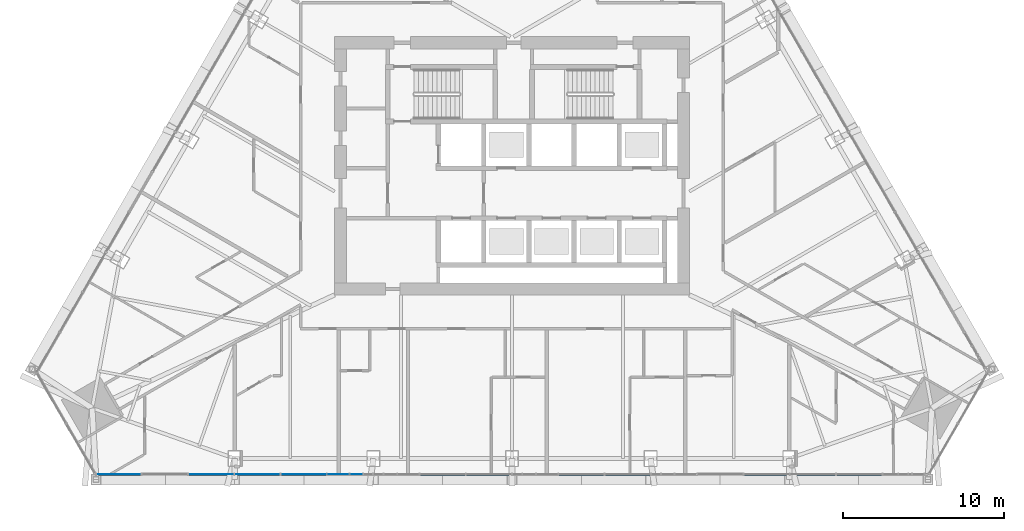
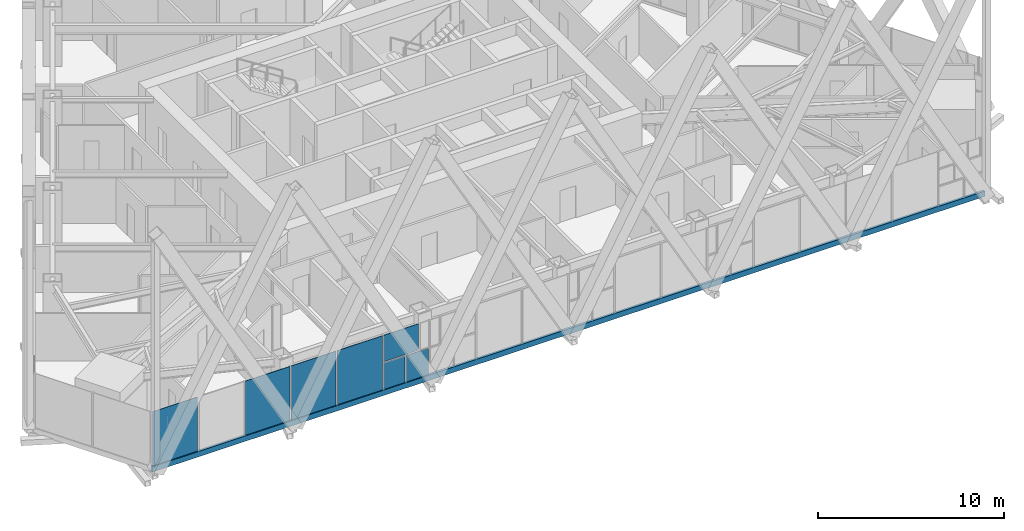
# One storey, part 5 of 23: 7 plates, 1 member, 2 openings, 1 element without a shape of its own.
"""IFC4 building model written with IfcOpenShell, lengths in metres."""

from ifc_helpers import new_model, si_unit, direction, frame, frame_2d, origin, origin_2d, place, context, subcontext, project, spatial, polyline, rectangle, outline, extrude, material, layer, layer_set, material_profile, profile_set, type_object, element, aggregate, save


model = new_model("IFC4")

# Units and contexts
model_context = context("Model", 3, precision=1e-05, world=origin(), true_north=direction((0.0, 1.0)))
body_context = subcontext(model_context, "Body", "Model", "MODEL_VIEW")
ifc_project = project(units=[si_unit("LENGTHUNIT", "METRE"), si_unit("AREAUNIT", "SQUARE_METRE"), si_unit("VOLUMEUNIT", "CUBIC_METRE"), si_unit("PLANEANGLEUNIT", "RADIAN"), si_unit("MASSUNIT", "GRAM", prefix="KILO")], contexts=[model_context])

# Site, building, storey
site_placement = place(None, origin())
site = spatial("IfcSite", under=ifc_project, at=site_placement, CompositionType="ELEMENT")
building_placement = place(site_placement, origin())
building = spatial("IfcBuilding", under=site, at=building_placement, Name="Firuza Gate Tower and Library", CompositionType="ELEMENT")
storey_placement = place(building_placement, frame((0.0, 0.0, 202.60009765625)))
storey = spatial("IfcBuildingStorey", under=building, at=storey_placement, Name="L47", CompositionType="ELEMENT", Elevation=202.60009765625)

# Curtain wall, openings, member, plates
ifc_material_1 = material(Name="Aluminium 6063-T6", Category="aluminium")
ifc_layer_1 = layer(ifc_material_1, 0.14990234375)
ifc_layer_set_1 = layer_set([ifc_layer_1], Name="Unitised curtain wall, hotel")
curtain_wall_type = type_object("IfcCurtainWallType", Name="Unitised curtain wall, hotel", PredefinedType="NOTDEFINED", material=ifc_layer_set_1)
curtain_wall_placement = place(storey_placement, origin())
curtain_wall = element("IfcCurtainWall", 1, at=curtain_wall_placement, inside=storey, type_object=curtain_wall_type, Name="CW2 L47 S face", PredefinedType="NOTDEFINED")
opening_1_placement = place(curtain_wall_placement, frame((52.0849609375, 55.88330078125, 0.14990234375), z_axis=(0.0, 0.0, 1.0), x_axis=(1.0, 0.0, 0.0)))
element("IfcOpeningElement", 2, at=opening_1_placement, cuts=curtain_wall, Name="Opening WD1-003", PredefinedType="OPENING", context=body_context, shape_type="SweptSolid", body=[
    extrude(rectangle(XDim=2.789306640625, YDim=3.550048828125, at=frame_2d((1.39453125, 1.77490234375))), frame((0.0, 0.0849609375, 0.0), z_axis=(0.0, -1.0, 0.0), x_axis=(1.0, 0.0, 0.0)), (0.0, 0.0, 1.0), 0.169921875),
])
opening_2_placement = place(curtain_wall_placement, frame((86.517578125, 55.88330078125, 0.14990234375), z_axis=(0.0, 0.0, 1.0), x_axis=(1.0, 0.0, 0.0)))
element("IfcOpeningElement", 3, at=opening_2_placement, cuts=curtain_wall, Name="Opening WD1-004", PredefinedType="OPENING", context=body_context, shape_type="SweptSolid", body=[
    extrude(rectangle(XDim=2.789306640625, YDim=3.550048828125, at=frame_2d((1.39453125, 1.77490234375))), frame((0.0, 0.0849609375, 0.0), z_axis=(0.0, -1.0, 0.0), x_axis=(1.0, 0.0, 0.0)), (0.0, 0.0, 1.0), 0.169921875),
])
ifc_material_2 = material(Name="Aluminium 6063-T6", Category="aluminium")
ifc_material_profile = material_profile(ifc_material_2, rectangle(XDim=0.14990234375, YDim=0.35009765625, at=origin_2d()))
ifc_profile_set = profile_set([ifc_material_profile], Name="Aluminium 6063-T6")
member_type = type_object("IfcMemberType", Name="Curtain wall transom 350x150", PredefinedType="USERDEFINED", material=ifc_profile_set)
member_placement = place(storey_placement, frame((49.175537109375, 55.88330078125, -0.025146484375), z_axis=(1.0, 0.0, 0.0), x_axis=(0.0, 1.0, 0.0)))
member = element("IfcMember", 4, at=member_placement, type_object=member_type, Name="Transom", ObjectType="TRANSOM", PredefinedType="USERDEFINED", context=body_context, shape_type="SweptSolid", body=[
    extrude(rectangle(XDim=0.14990234375, YDim=0.35009765625, at=origin_2d()), origin(), (0.0, 0.0, 1.0), 51.64892578125),
])
ifc_material_3 = material(Name="Fritted glass", Category="glass")
ifc_layer_2 = layer(ifc_material_3, 0.030029296875)
ifc_layer_set_2 = layer_set([ifc_layer_2], Name="Fritted glass unit, hotel")
plate_type_1 = type_object("IfcPlateType", Name="Fritted glass unit, hotel", PredefinedType="CURTAIN_PANEL", material=ifc_layer_set_2)
plate_1_placement = place(storey_placement, frame((60.693115234375, 55.868408203125, 0.14990234375), z_axis=(0.0, -1.0, 0.0), x_axis=(1.0, 0.0, 0.0)))
plate_1 = element("IfcPlate", 5, at=plate_1_placement, type_object=plate_type_1, Name="Glass unit", PredefinedType="CURTAIN_PANEL", context=body_context, shape_type="SweptSolid", body=[
    extrude(outline(polyline([(0.0, 0.0), (2.789306640625, 0.0), (2.789306640625, 3.550048828125), (0.0, 3.550048828125), (0.0, 0.0)])), origin(), (0.0, 0.0, -1.0), 0.030029296875),
])
plate_2_placement = place(storey_placement, frame((63.5625, 55.868408203125, 0.14990234375), z_axis=(0.0, -1.0, 0.0), x_axis=(1.0, 0.0, 0.0)))
plate_2 = element("IfcPlate", 6, at=plate_2_placement, type_object=plate_type_1, Name="Glass unit", PredefinedType="CURTAIN_PANEL", context=body_context, shape_type="SweptSolid", body=[
    extrude(outline(polyline([(0.0, 0.0), (1.32080078125, 0.0), (1.32080078125, 1.735107421875), (0.0, 1.735107421875), (0.0, 0.0)])), origin(), (0.0, 0.0, -1.0), 0.030029296875),
])
ifc_material_4 = material(Name="Glazed ceramic tile")
ifc_layer_3 = layer(ifc_material_4, 0.030029296875)
ifc_layer_set_3 = layer_set([ifc_layer_3], Name="Opaque ceramic panel, hotel")
plate_type_2 = type_object("IfcPlateType", Name="Opaque ceramic panel, hotel", PredefinedType="CURTAIN_PANEL", material=ifc_layer_set_3)
plate_3_placement = place(storey_placement, frame((49.215576171875, 55.868408203125, 0.14990234375), z_axis=(0.0, -1.0, 0.0), x_axis=(1.0, 0.0, 0.0)))
plate_3 = element("IfcPlate", 7, at=plate_3_placement, type_object=plate_type_2, Name="Opaque ceramic panel", PredefinedType="CURTAIN_PANEL", context=body_context, shape_type="SweptSolid", body=[
    extrude(outline(polyline([(0.0, 0.0), (2.789306640625, 0.0), (2.789306640625, 3.550048828125), (0.0, 3.550048828125), (0.0, 0.0)])), origin(), (0.0, 0.0, -1.0), 0.030029296875),
])
plate_4_placement = place(storey_placement, frame((54.954345703125, 55.868408203125, 0.14990234375), z_axis=(0.0, -1.0, 0.0), x_axis=(1.0, 0.0, 0.0)))
plate_4 = element("IfcPlate", 8, at=plate_4_placement, type_object=plate_type_2, Name="Opaque ceramic panel", PredefinedType="CURTAIN_PANEL", context=body_context, shape_type="SweptSolid", body=[
    extrude(outline(polyline([(0.0, 0.0), (2.789306640625, 0.0), (2.789306640625, 3.550048828125), (0.0, 3.550048828125), (0.0, 0.0)])), origin(), (0.0, 0.0, -1.0), 0.030029296875),
])
plate_5_placement = place(storey_placement, frame((57.82373046875, 55.868408203125, 0.14990234375), z_axis=(0.0, -1.0, 0.0), x_axis=(1.0, 0.0, 0.0)))
plate_5 = element("IfcPlate", 9, at=plate_5_placement, type_object=plate_type_2, Name="Opaque ceramic panel", PredefinedType="CURTAIN_PANEL", context=body_context, shape_type="SweptSolid", body=[
    extrude(outline(polyline([(0.0, 0.0), (2.789306640625, 0.0), (2.789306640625, 3.550048828125), (0.0, 3.550048828125), (0.0, 0.0)])), origin(), (0.0, 0.0, -1.0), 0.030029296875),
])
plate_6_placement = place(storey_placement, frame((64.96337890625, 55.868408203125, 0.14990234375), z_axis=(0.0, -1.0, 0.0), x_axis=(1.0, 0.0, 0.0)))
plate_6 = element("IfcPlate", 10, at=plate_6_placement, type_object=plate_type_2, Name="Opaque ceramic panel", PredefinedType="CURTAIN_PANEL", context=body_context, shape_type="SweptSolid", body=[
    extrude(outline(polyline([(0.0, 0.0), (1.388427734375, 0.0), (1.388427734375, 1.735107421875), (0.0, 1.735107421875), (0.0, 0.0)])), origin(), (0.0, 0.0, -1.0), 0.030029296875),
])
plate_7_placement = place(storey_placement, frame((63.5625, 55.868408203125, 1.96484375), z_axis=(0.0, -1.0, 0.0), x_axis=(1.0, 0.0, 0.0)))
plate_7 = element("IfcPlate", 11, at=plate_7_placement, type_object=plate_type_2, Name="Opaque ceramic panel", PredefinedType="CURTAIN_PANEL", context=body_context, shape_type="SweptSolid", body=[
    extrude(outline(polyline([(0.0, 0.0), (2.165771484375, 0.0), (2.165771484375, 1.735107421875), (0.0, 1.735107421875), (0.0, 0.0)])), origin(), (0.0, 0.0, -1.0), 0.030029296875),
])
aggregate(curtain_wall, [member, plate_3, plate_4, plate_5, plate_1, plate_2, plate_6, plate_7])

save(model, "model.ifc")
